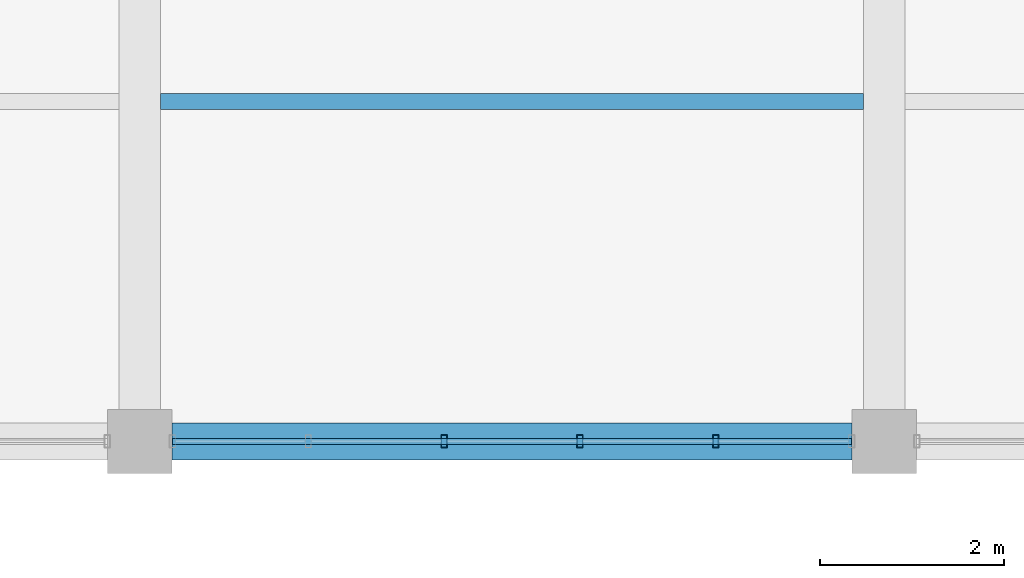
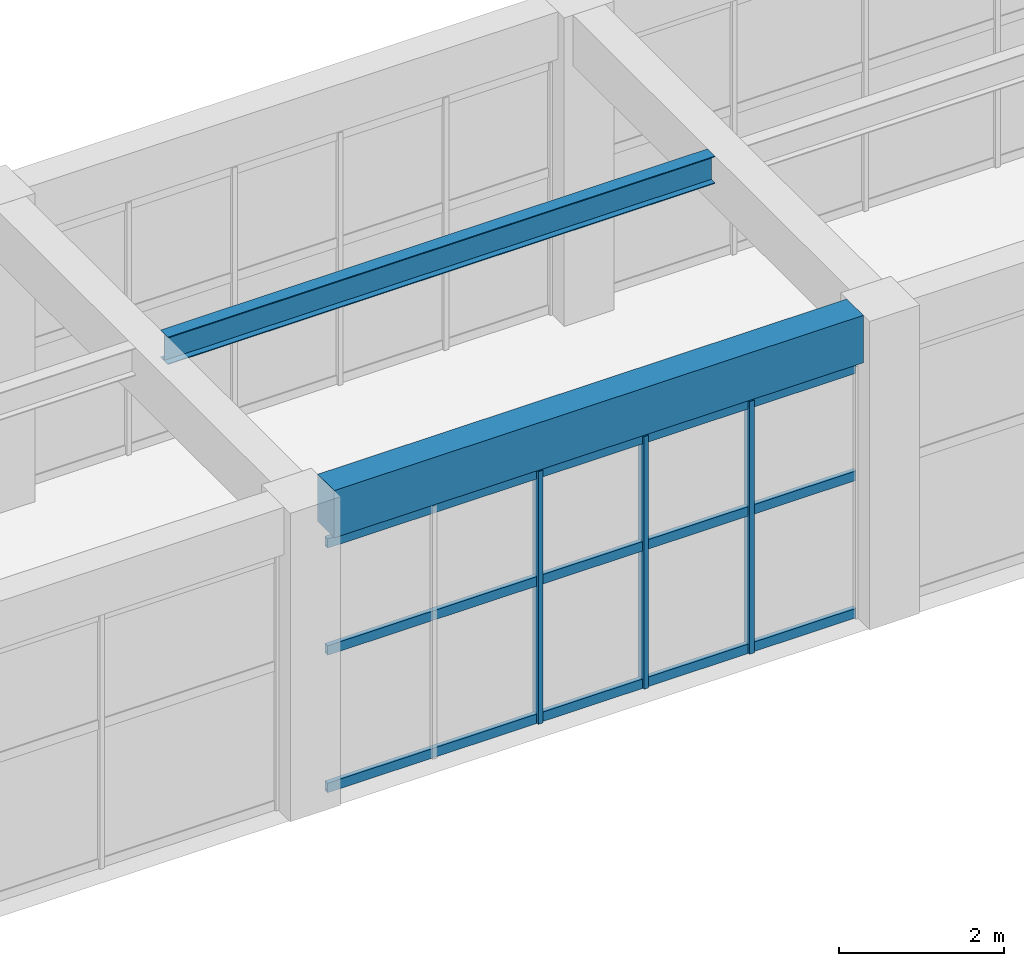
# One storey, part 30 of 161: 6 members, 2 beams, 1 element without a shape of its own.
"""IFC4 building model written with IfcOpenShell, lengths in metres."""

from ifc_helpers import new_model, si_unit, direction, frame, origin, origin_2d, place, context, subcontext, project, spatial, rectangle, hollow_rectangle, i_section, extrude, material, material_profile, profile_set, type_object, element, aggregate, save


model = new_model("IFC4")

# Units and contexts
model_context = context("Model", 3, precision=1e-05, world=origin(), true_north=direction((0.0, 1.0)))
body_context = subcontext(model_context, "Body", "Model", "MODEL_VIEW")
ifc_project = project(units=[si_unit("LENGTHUNIT", "METRE"), si_unit("AREAUNIT", "SQUARE_METRE"), si_unit("VOLUMEUNIT", "CUBIC_METRE"), si_unit("PLANEANGLEUNIT", "RADIAN"), si_unit("MASSUNIT", "GRAM", prefix="KILO")], contexts=[model_context])

# Site, building, storey
site_placement = place(None, origin())
site = spatial("IfcSite", under=ifc_project, at=site_placement, CompositionType="ELEMENT")
building_placement = place(site_placement, origin())
building = spatial("IfcBuilding", under=site, at=building_placement, Name="Cimatlan Art Gallery", CompositionType="ELEMENT")
storey_placement = place(building_placement, frame((0.0, 0.0, 5.39990234375)))
storey = spatial("IfcBuildingStorey", under=building, at=storey_placement, Name="L01", CompositionType="ELEMENT", Elevation=5.39990234375)

# Beams
ifc_material_1 = material(Name="Concrete C40/50", Category="concrete")
ifc_material_profile_1 = material_profile(ifc_material_1, rectangle(XDim=0.39990234375, YDim=0.699951171875, at=origin_2d()), Name="RC400X700")
ifc_profile_set_1 = profile_set([ifc_material_profile_1], Name="Concrete C40/50")
beam_type_1 = type_object("IfcBeamType", Name="BM-RC-400X700", PredefinedType="BEAM", material=ifc_profile_set_1)
beam_1_placement = place(storey_placement, frame((59.050048828125, 53.5, 4.210205078125), z_axis=(1.0, 0.0, 0.0), x_axis=(0.0, 1.0, 0.0)))
element("IfcBeam", 1, at=beam_1_placement, inside=storey, type_object=beam_type_1, Name="BM-X-L01-07-07", PredefinedType="BEAM", context=body_context, shape_type="SweptSolid", body=[
    extrude(rectangle(XDim=0.39990234375, YDim=0.699951171875, at=origin_2d()), origin(), (0.0, 0.0, 1.0), 7.39990234375),
])
ifc_material_2 = material(Name="Steel ASTM A992 Grade 50", Category="steel")
ifc_material_profile_2 = material_profile(ifc_material_2, i_section(OverallWidth=0.177978515625, OverallDepth=0.406982421875, WebThickness=0.0078125, FlangeThickness=0.0126953125, at=origin_2d()), Name="W16X40")
ifc_profile_set_2 = profile_set([ifc_material_profile_2], Name="Steel ASTM A992 Grade 50")
beam_type_2 = type_object("IfcBeamType", Name="BM-STL-W16X40", PredefinedType="JOIST", material=ifc_profile_set_2)
beam_2_placement = place(storey_placement, frame((58.925048828125, 57.199951171875, 4.356689453125), z_axis=(1.0, 0.0, 0.0), x_axis=(0.0, 1.0, 0.0)))
element("IfcBeam", 2, at=beam_2_placement, inside=storey, type_object=beam_type_2, Name="JST-L01-07-07", PredefinedType="JOIST", context=body_context, shape_type="SweptSolid", body=[
    extrude(i_section(OverallWidth=0.177978515625, OverallDepth=0.406982421875, WebThickness=0.0078125, FlangeThickness=0.0126953125, at=origin_2d()), origin(), (0.0, 0.0, 1.0), 7.64990234375),
])

# Curtain wall, members
ifc_material_3 = material(Name="Anodised bronze unitised curtain wall")
curtain_wall_type = type_object("IfcCurtainWallType", Name="CW-V-07392X03735-B5", PredefinedType="NOTDEFINED", material=ifc_material_3)
curtain_wall_placement = place(storey_placement, origin())
curtain_wall = element("IfcCurtainWall", 3, at=curtain_wall_placement, inside=storey, type_object=curtain_wall_type, Name="CW-L01-07-07-S", PredefinedType="NOTDEFINED")
ifc_material_4 = material(Name="Anodised bronze aluminium 6063-T6", Category="aluminium")
ifc_material_profile_3 = material_profile(ifc_material_4, hollow_rectangle(XDim=0.06494140625, YDim=0.139892578125, WallThickness=0.00390625, at=origin_2d()), Name="ALU65X140X4")
ifc_profile_set_3 = profile_set([ifc_material_profile_3], Name="Anodised bronze aluminium 6063-T6")
member_type_1 = type_object("IfcMemberType", Name="CW-MUL-140", PredefinedType="MULLION", material=ifc_profile_set_3)
member_1_placement = place(storey_placement, frame((64.967529296875, 53.5, 0.0), z_axis=(0.0, 0.0, 1.0), x_axis=(1.0, 0.0, 0.0)))
member_1 = element("IfcMember", 4, at=member_1_placement, type_object=member_type_1, Name="CW-L01-07-07-S-M2", PredefinedType="MULLION", context=body_context, shape_type="SweptSolid", body=[
    extrude(hollow_rectangle(XDim=0.06494140625, YDim=0.139892578125, WallThickness=0.00390625, at=origin_2d()), origin(), (0.0, 0.0, 1.0), 3.735107421875),
])
member_2_placement = place(storey_placement, frame((63.4892578125, 53.5, 0.0), z_axis=(0.0, 0.0, 1.0), x_axis=(1.0, 0.0, 0.0)))
member_2 = element("IfcMember", 5, at=member_2_placement, type_object=member_type_1, Name="CW-L01-07-07-S-M3", PredefinedType="MULLION", context=body_context, shape_type="SweptSolid", body=[
    extrude(hollow_rectangle(XDim=0.06494140625, YDim=0.139892578125, WallThickness=0.00390625, at=origin_2d()), origin(), (0.0, 0.0, 1.0), 3.735107421875),
])
member_3_placement = place(storey_placement, frame((62.0107421875, 53.5, 0.0), z_axis=(0.0, 0.0, 1.0), x_axis=(1.0, 0.0, 0.0)))
member_3 = element("IfcMember", 6, at=member_3_placement, type_object=member_type_1, Name="CW-L01-07-07-S-M4", PredefinedType="MULLION", context=body_context, shape_type="SweptSolid", body=[
    extrude(hollow_rectangle(XDim=0.06494140625, YDim=0.139892578125, WallThickness=0.00390625, at=origin_2d()), origin(), (0.0, 0.0, 1.0), 3.735107421875),
])
ifc_material_profile_4 = material_profile(ifc_material_4, hollow_rectangle(XDim=0.06494140625, YDim=0.139892578125, WallThickness=0.00390625, at=origin_2d()), Name="ALU65X140X4")
ifc_profile_set_4 = profile_set([ifc_material_profile_4], Name="Anodised bronze aluminium 6063-T6")
member_type_2 = type_object("IfcMemberType", Name="CW-TRN-140", PredefinedType="USERDEFINED", material=ifc_profile_set_4)
member_4_placement = place(storey_placement, frame((66.446044921875, 53.5, 0.06005859375), z_axis=(-1.0, 0.0, 0.0), x_axis=(0.0, -1.0, 0.0)))
member_4 = element("IfcMember", 7, at=member_4_placement, type_object=member_type_2, Name="CW-L01-07-07-S-T1", ObjectType="TRANSOM", PredefinedType="USERDEFINED", context=body_context, shape_type="SweptSolid", body=[
    extrude(hollow_rectangle(XDim=0.06494140625, YDim=0.139892578125, WallThickness=0.00390625, at=origin_2d()), origin(), (0.0, 0.0, 1.0), 7.39208984375),
])
member_5_placement = place(storey_placement, frame((66.446044921875, 53.5, 2.091796875), z_axis=(-1.0, 0.0, 0.0), x_axis=(0.0, -1.0, 0.0)))
member_5 = element("IfcMember", 8, at=member_5_placement, type_object=member_type_2, Name="CW-L01-07-07-S-T2", ObjectType="TRANSOM", PredefinedType="USERDEFINED", context=body_context, shape_type="SweptSolid", body=[
    extrude(hollow_rectangle(XDim=0.06494140625, YDim=0.139892578125, WallThickness=0.00390625, at=origin_2d()), origin(), (0.0, 0.0, 1.0), 7.39208984375),
])
member_6_placement = place(storey_placement, frame((66.446044921875, 53.5, 3.675048828125), z_axis=(-1.0, 0.0, 0.0), x_axis=(0.0, -1.0, 0.0)))
member_6 = element("IfcMember", 9, at=member_6_placement, type_object=member_type_2, Name="CW-L01-07-07-S-T3", ObjectType="TRANSOM", PredefinedType="USERDEFINED", context=body_context, shape_type="SweptSolid", body=[
    extrude(hollow_rectangle(XDim=0.06494140625, YDim=0.139892578125, WallThickness=0.00390625, at=origin_2d()), origin(), (0.0, 0.0, 1.0), 7.39208984375),
])
aggregate(curtain_wall, [member_1, member_2, member_3, member_4, member_5, member_6])

save(model, "model.ifc")
